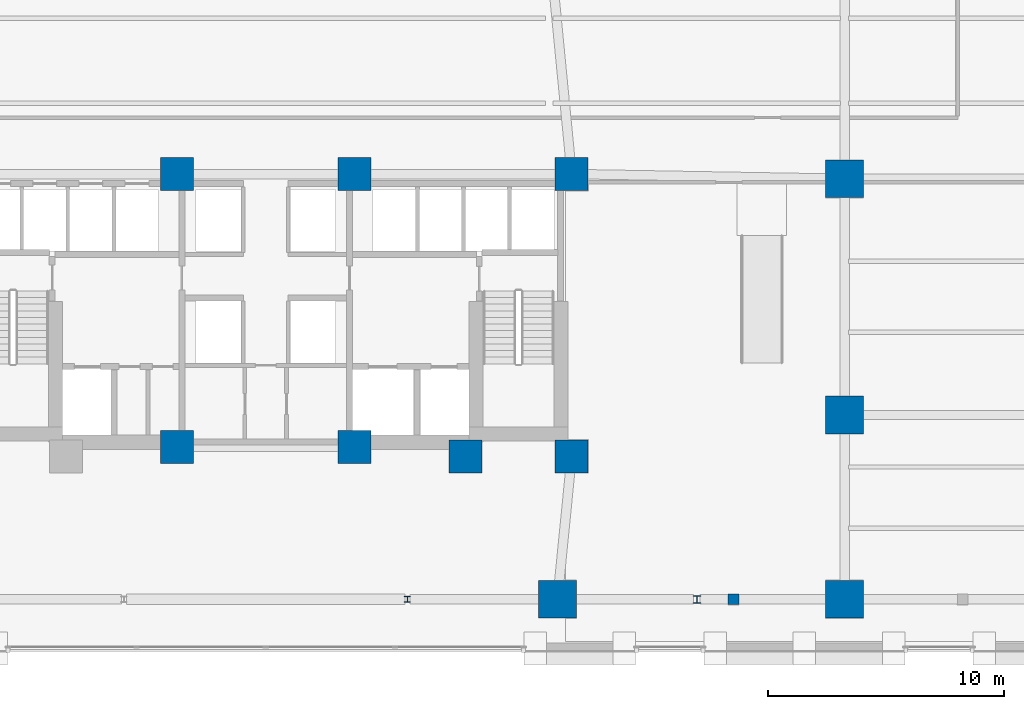
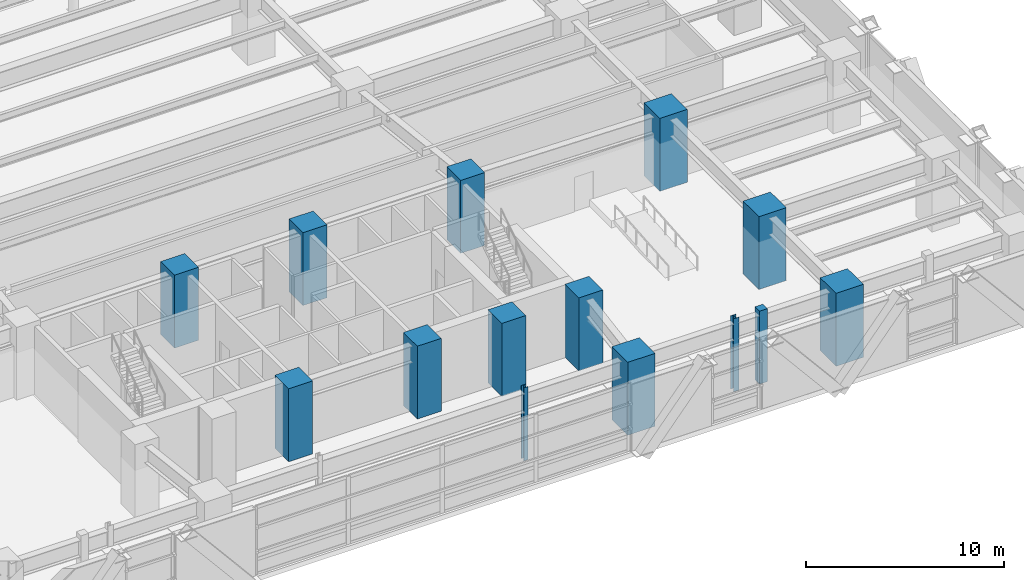
# One storey, part 3 of 26: 14 columns.
"""IFC4 building model written with IfcOpenShell, lengths in metres."""

from ifc_helpers import new_model, si_unit, direction, frame, origin, origin_2d, place, context, subcontext, project, spatial, rectangle, i_section, extrude, material, material_profile, profile_set, type_object, element, save


model = new_model("IFC4")

# Units and contexts
model_context = context("Model", 3, precision=1e-05, world=origin(), true_north=direction((0.0, 1.0)))
body_context = subcontext(model_context, "Body", "Model", "MODEL_VIEW")
ifc_project = project(units=[si_unit("LENGTHUNIT", "METRE"), si_unit("AREAUNIT", "SQUARE_METRE"), si_unit("VOLUMEUNIT", "CUBIC_METRE"), si_unit("PLANEANGLEUNIT", "RADIAN"), si_unit("MASSUNIT", "GRAM", prefix="KILO")], contexts=[model_context])

# Site, building, storey
site_placement = place(None, origin())
site = spatial("IfcSite", under=ifc_project, at=site_placement, CompositionType="ELEMENT")
building_placement = place(site_placement, origin())
building = spatial("IfcBuilding", under=site, at=building_placement, Name="Quenlor Broadcast Tower", CompositionType="ELEMENT")
storey_placement = place(building_placement, frame((0.0, 0.0, 5.0)))
storey = spatial("IfcBuildingStorey", under=building, at=storey_placement, Name="L01", CompositionType="ELEMENT", Elevation=5.0)

# Columns
ifc_material_1 = material(Name="Concrete C65/80", Category="concrete")
ifc_material_profile_1 = material_profile(ifc_material_1, rectangle(XDim=1.39990234375, YDim=1.39990234375, at=origin_2d()))
ifc_profile_set_1 = profile_set([ifc_material_profile_1], Name="Concrete C65/80 RC1400x1400")
column_type_1 = type_object("IfcColumnType", Name="Core Corner Column Lower Concrete C65/80 1400", PredefinedType="COLUMN", material=ifc_profile_set_1)
for number, where, z_axis, x_axis, name in (
    (1, (-3.75, -16.35009765625, 0.0), (0.0, 0.0, 1.0), (1.0, 0.0, 0.0), "L01 Core Column CC3"),
    (2, (3.75, -16.35009765625, 0.0), (0.0, 0.0, 1.0), (1.0, 0.0, 0.0), "L01 Core Column CC4"),
    (3, (8.449951171875, -16.75, 0.0), (0.0, 0.0, 1.0), (1.0, 0.0, 0.0), "L01 Core Column CC5"),
    (4, (12.949951171875, -16.75, 0.0), (0.0, 0.0, 1.0), (1.0, 0.0, 0.0), "L01 Core Column CC6"),
    (5, (-3.75, -4.800048828125, 0.0), (0.0, 0.0, 1.0), (1.0, 0.0, 0.0), "L01 Core Column CC8"),
    (6, (3.75, -4.800048828125, 0.0), (0.0, 0.0, 1.0), (1.0, 0.0, 0.0), "L01 Core Column CC9"),
    (7, (12.949951171875, -4.800048828125, 0.0), (0.0, 0.0, 1.0), (1.0, 0.0, 0.0), "L01 Core Column CC10"),
):
    element("IfcColumn", number, at=place(storey_placement, frame(where, z_axis=z_axis, x_axis=x_axis)), inside=storey, type_object=column_type_1, Name=name, PredefinedType="COLUMN", context=body_context, shape_type="SweptSolid", body=[
        extrude(rectangle(XDim=1.39990234375, YDim=1.39990234375, at=origin_2d()), origin(), (0.0, 0.0, 1.0), 4.5),
    ])
ifc_material_2 = material(Name="Steel S355", Category="steel")
ifc_material_profile_2 = material_profile(ifc_material_2, i_section(OverallWidth=0.30908203125, OverallDepth=0.320556640625, WebThickness=0.013916015625, FlangeThickness=0.021728515625, FilletRadius=0.0166015625, at=origin_2d()))
ifc_profile_set_2 = profile_set([ifc_material_profile_2], Name="Steel S355 310UC137")
column_type_2 = type_object("IfcColumnType", Name="Podium Canopy Post Steel S355 310UC137", PredefinedType="COLUMN", material=ifc_profile_set_2)
column_1_placement = place(storey_placement, frame((18.25, -22.800048828125, 0.0), z_axis=(0.0, 0.0, 1.0), x_axis=(1.0, 0.0, 0.0)))
element("IfcColumn", 8, at=column_1_placement, inside=storey, type_object=column_type_2, Name="L01 Station Steel Column SPE1", PredefinedType="COLUMN", context=body_context, shape_type="SweptSolid", body=[
    extrude(i_section(OverallWidth=0.30908203125, OverallDepth=0.320556640625, WebThickness=0.013916015625, FlangeThickness=0.021728515625, FilletRadius=0.0166015625, at=origin_2d()), origin(), (0.0, 0.0, 1.0), 4.5),
])
ifc_material_3 = material(Name="Concrete C40/50", Category="concrete")
ifc_material_profile_3 = material_profile(ifc_material_3, rectangle(XDim=0.449951171875, YDim=0.449951171875, at=origin_2d()))
ifc_profile_set_3 = profile_set([ifc_material_profile_3], Name="Concrete C40/50 PIL450x450")
column_type_3 = type_object("IfcColumnType", Name="Podium Gallery Pilaster Concrete C40/50 450", PredefinedType="PILASTER", material=ifc_profile_set_3)
column_2_placement = place(storey_placement, frame((19.800048828125, -22.800048828125, 0.0), z_axis=(0.0, 0.0, 1.0), x_axis=(1.0, 0.0, 0.0)))
element("IfcColumn", 9, at=column_2_placement, inside=storey, type_object=column_type_3, Name="L01 Colonnade Pilaster S3", PredefinedType="PILASTER", context=body_context, shape_type="SweptSolid", body=[
    extrude(rectangle(XDim=0.449951171875, YDim=0.449951171875, at=origin_2d()), origin(), (0.0, 0.0, 1.0), 4.5),
])
ifc_material_4 = material(Name="Steel S355", Category="steel")
ifc_material_profile_4 = material_profile(ifc_material_4, i_section(OverallWidth=0.256103515625, OverallDepth=0.260009765625, WebThickness=0.010498046875, FlangeThickness=0.017333984375, FilletRadius=0.013916015625, at=origin_2d()))
ifc_profile_set_4 = profile_set([ifc_material_profile_4], Name="Steel S355 250UC89.5")
column_type_4 = type_object("IfcColumnType", Name="Podium Gallery Post Steel S355 250UC89.5", PredefinedType="COLUMN", material=ifc_profile_set_4)
column_3_placement = place(storey_placement, frame((6.0, -22.800048828125, 0.0), z_axis=(0.0, 0.0, 1.0), x_axis=(1.0, 0.0, 0.0)))
element("IfcColumn", 10, at=column_3_placement, inside=storey, type_object=column_type_4, Name="L01 Station Steel Column SPE2", PredefinedType="COLUMN", context=body_context, shape_type="SweptSolid", body=[
    extrude(i_section(OverallWidth=0.256103515625, OverallDepth=0.260009765625, WebThickness=0.010498046875, FlangeThickness=0.017333984375, FilletRadius=0.013916015625, at=origin_2d()), origin(), (0.0, 0.0, 1.0), 4.5),
])
ifc_material_5 = material(Name="Concrete C65/80", Category="concrete")
ifc_material_profile_5 = material_profile(ifc_material_5, rectangle(XDim=1.60009765625, YDim=1.60009765625, at=origin_2d()))
ifc_profile_set_5 = profile_set([ifc_material_profile_5], Name="Concrete C65/80 RC1600x1600")
column_type_5 = type_object("IfcColumnType", Name="Podium Mega Column Concrete C65/80 1600", PredefinedType="COLUMN", material=ifc_profile_set_5)
for number, where, z_axis, x_axis, name in (
    (11, (12.35009765625, -22.800048828125, 0.0), (0.0, 0.0, 1.0), (1.0, 0.0, 0.0), "L01 Podium Mega Column PM4"),
    (12, (24.5, -22.800048828125, 0.0), (0.0, 0.0, 1.0), (1.0, 0.0, 0.0), "L01 Podium Mega Column PM5"),
    (13, (24.5, -15.0, 0.0), (0.0, 0.0, 1.0), (1.0, 0.0, 0.0), "L01 Podium Mega Column PM9"),
    (14, (24.5, -5.0, 0.0), (0.0, 0.0, 1.0), (1.0, 0.0, 0.0), "L01 Podium Mega Column PM13"),
):
    element("IfcColumn", number, at=place(storey_placement, frame(where, z_axis=z_axis, x_axis=x_axis)), inside=storey, type_object=column_type_5, Name=name, PredefinedType="COLUMN", context=body_context, shape_type="SweptSolid", body=[
        extrude(rectangle(XDim=1.60009765625, YDim=1.60009765625, at=origin_2d()), origin(), (0.0, 0.0, 1.0), 4.5),
    ])

save(model, "model.ifc")
